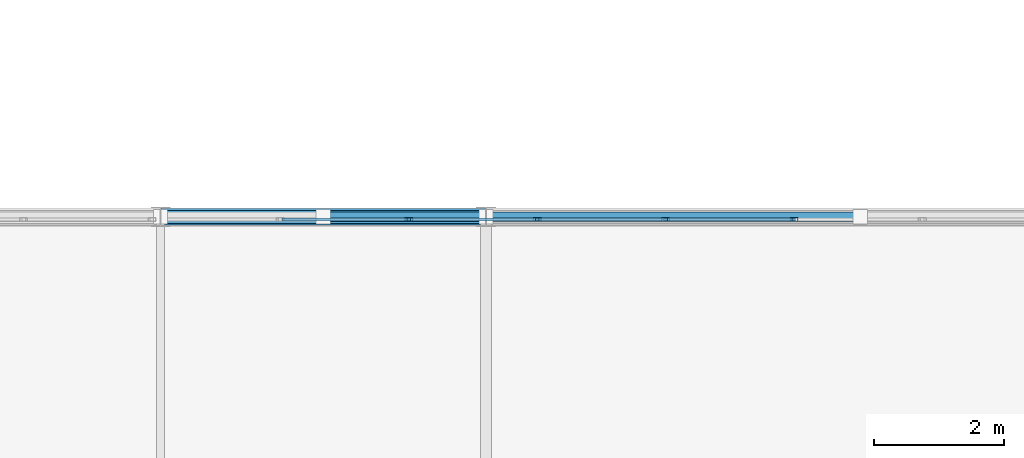
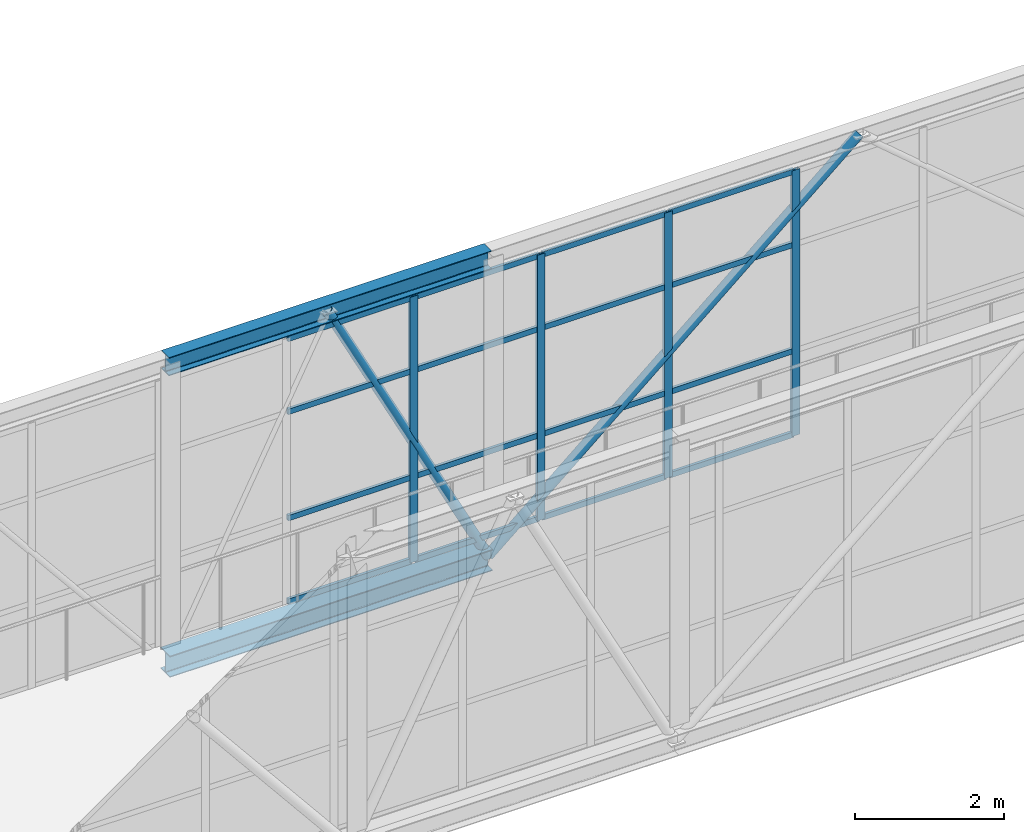
# One storey, part 172 of 248: 24 members, 1 element without a shape of its own.
"""IFC4 building model written with IfcOpenShell, lengths in metres."""

from ifc_helpers import new_model, si_unit, direction, frame, origin, origin_2d, place, context, subcontext, project, spatial, hollow_rectangle, hollow_circle, i_section, extrude, material, layer, layer_set, material_profile, profile_set, type_object, element, aggregate, save


model = new_model("IFC4")

# Units and contexts
model_context = context("Model", 3, precision=1e-05, world=origin(), true_north=direction((0.0, 1.0)))
body_context = subcontext(model_context, "Body", "Model", "MODEL_VIEW")
ifc_project = project(units=[si_unit("LENGTHUNIT", "METRE"), si_unit("AREAUNIT", "SQUARE_METRE"), si_unit("VOLUMEUNIT", "CUBIC_METRE"), si_unit("PLANEANGLEUNIT", "RADIAN"), si_unit("MASSUNIT", "GRAM", prefix="KILO")], contexts=[model_context])

# Site, building, storey
site_placement = place(None, origin())
site = spatial("IfcSite", under=ifc_project, at=site_placement, CompositionType="ELEMENT")
building_placement = place(site_placement, origin())
building = spatial("IfcBuilding", under=site, at=building_placement, Name="Canggui Botanical Conservatory", CompositionType="ELEMENT")
storey_placement = place(building_placement, frame((0.0, 0.0, 5.39990234375)))
storey = spatial("IfcBuildingStorey", under=building, at=storey_placement, Name="L02", CompositionType="ELEMENT", Elevation=5.39990234375)

# Curtain wall, members
ifc_material_1 = material(Name="Thermally Broken Aluminium", Category="aluminium")
ifc_layer = layer(ifc_material_1, 0.1201171875, Name="Thermally Broken Aluminium", Category="aluminium")
ifc_layer_set = layer_set([ifc_layer], Name="Thermally Broken Aluminium")
curtain_wall_type = type_object("IfcCurtainWallType", Name="CW-STICK-B", PredefinedType="USERDEFINED", material=ifc_layer_set)
curtain_wall_placement = place(storey_placement, origin())
curtain_wall = element("IfcCurtainWall", 1, at=curtain_wall_placement, inside=storey, type_object=curtain_wall_type, Name="Facade Curtain Wall CW-SB-04-2", ObjectType="STICK GLAZED WALL", PredefinedType="USERDEFINED")
ifc_material_profile_1 = material_profile(ifc_material_1, hollow_rectangle(XDim=0.054931640625, YDim=0.1201171875, WallThickness=0.0029296875, at=origin_2d()), Name="CWM 55x120x3")
ifc_profile_set_1 = profile_set([ifc_material_profile_1], Name="Thermally Broken Aluminium")
member_type_1 = type_object("IfcMemberType", Name="CWM-05", PredefinedType="MULLION", material=ifc_profile_set_1)
member_1_placement = place(storey_placement, frame((117.313232421875, 79.9599609375, 0.0), z_axis=(0.0, 0.0, 1.0), x_axis=(0.0, 1.0, 0.0)))
member_1 = element("IfcMember", 2, at=member_1_placement, type_object=member_type_1, Name="CW-05 mullion 27", PredefinedType="MULLION", context=body_context, shape_type="SweptSolid", body=[
    extrude(hollow_rectangle(XDim=0.054931640625, YDim=0.1201171875, WallThickness=0.0029296875, at=origin_2d()), origin(), (0.0, 0.0, 1.0), 4.35009765625),
])
member_2_placement = place(storey_placement, frame((119.285888671875, 79.9599609375, 0.0), z_axis=(0.0, 0.0, 1.0), x_axis=(0.0, 1.0, 0.0)))
member_2 = element("IfcMember", 3, at=member_2_placement, type_object=member_type_1, Name="CW-05 mullion 28", PredefinedType="MULLION", context=body_context, shape_type="SweptSolid", body=[
    extrude(hollow_rectangle(XDim=0.054931640625, YDim=0.1201171875, WallThickness=0.0029296875, at=origin_2d()), origin(), (0.0, 0.0, 1.0), 4.35009765625),
])
member_3_placement = place(storey_placement, frame((121.2587890625, 79.9599609375, 0.0), z_axis=(0.0, 0.0, 1.0), x_axis=(0.0, 1.0, 0.0)))
member_3 = element("IfcMember", 4, at=member_3_placement, type_object=member_type_1, Name="CW-05 mullion 29", PredefinedType="MULLION", context=body_context, shape_type="SweptSolid", body=[
    extrude(hollow_rectangle(XDim=0.054931640625, YDim=0.1201171875, WallThickness=0.0029296875, at=origin_2d()), origin(), (0.0, 0.0, 1.0), 4.35009765625),
])
member_4_placement = place(storey_placement, frame((123.2314453125, 79.9599609375, 0.0), z_axis=(0.0, 0.0, 1.0), x_axis=(0.0, 1.0, 0.0)))
member_4 = element("IfcMember", 5, at=member_4_placement, type_object=member_type_1, Name="CW-05 mullion 30", PredefinedType="MULLION", context=body_context, shape_type="SweptSolid", body=[
    extrude(hollow_rectangle(XDim=0.054931640625, YDim=0.1201171875, WallThickness=0.0029296875, at=origin_2d()), origin(), (0.0, 0.0, 1.0), 4.35009765625),
])
ifc_material_profile_2 = material_profile(ifc_material_1, hollow_rectangle(XDim=0.044921875, YDim=0.090087890625, WallThickness=0.0029296875, at=origin_2d()), Name="CWT 45x90x3")
ifc_profile_set_2 = profile_set([ifc_material_profile_2], Name="Thermally Broken Aluminium")
member_type_2 = type_object("IfcMemberType", Name="CWT-05", PredefinedType="USERDEFINED", material=ifc_profile_set_2)
member_5_placement = place(storey_placement, frame((115.367919921875, 79.9599609375, 0.022705078125), z_axis=(1.0, 0.0, 0.0), x_axis=(0.0, 1.0, 0.0)))
member_5 = element("IfcMember", 6, at=member_5_placement, type_object=member_type_2, Name="CW-05 transom 26.1", ObjectType="TRANSOM", PredefinedType="USERDEFINED", context=body_context, shape_type="SweptSolid", body=[
    extrude(hollow_rectangle(XDim=0.044921875, YDim=0.090087890625, WallThickness=0.0029296875, at=origin_2d()), origin(), (0.0, 0.0, 1.0), 1.917724609375),
])
member_6_placement = place(storey_placement, frame((115.367919921875, 79.9599609375, 1.39208984375), z_axis=(1.0, 0.0, 0.0), x_axis=(0.0, 1.0, 0.0)))
member_6 = element("IfcMember", 7, at=member_6_placement, type_object=member_type_2, Name="CW-05 transom 26.2", ObjectType="TRANSOM", PredefinedType="USERDEFINED", context=body_context, shape_type="SweptSolid", body=[
    extrude(hollow_rectangle(XDim=0.044921875, YDim=0.090087890625, WallThickness=0.0029296875, at=origin_2d()), origin(), (0.0, 0.0, 1.0), 1.917724609375),
])
member_7_placement = place(storey_placement, frame((115.367919921875, 79.9599609375, 3.132080078125), z_axis=(1.0, 0.0, 0.0), x_axis=(0.0, 1.0, 0.0)))
member_7 = element("IfcMember", 8, at=member_7_placement, type_object=member_type_2, Name="CW-05 transom 26.3", ObjectType="TRANSOM", PredefinedType="USERDEFINED", context=body_context, shape_type="SweptSolid", body=[
    extrude(hollow_rectangle(XDim=0.044921875, YDim=0.090087890625, WallThickness=0.0029296875, at=origin_2d()), origin(), (0.0, 0.0, 1.0), 1.917724609375),
])
member_8_placement = place(storey_placement, frame((115.367919921875, 79.9599609375, 4.32763671875), z_axis=(1.0, 0.0, 0.0), x_axis=(0.0, 1.0, 0.0)))
member_8 = element("IfcMember", 9, at=member_8_placement, type_object=member_type_2, Name="CW-05 transom 26.4", ObjectType="TRANSOM", PredefinedType="USERDEFINED", context=body_context, shape_type="SweptSolid", body=[
    extrude(hollow_rectangle(XDim=0.044921875, YDim=0.090087890625, WallThickness=0.0029296875, at=origin_2d()), origin(), (0.0, 0.0, 1.0), 1.917724609375),
])
member_9_placement = place(storey_placement, frame((117.340576171875, 79.9599609375, 0.022705078125), z_axis=(1.0, 0.0, 0.0), x_axis=(0.0, 1.0, 0.0)))
member_9 = element("IfcMember", 10, at=member_9_placement, type_object=member_type_2, Name="CW-05 transom 27.1", ObjectType="TRANSOM", PredefinedType="USERDEFINED", context=body_context, shape_type="SweptSolid", body=[
    extrude(hollow_rectangle(XDim=0.044921875, YDim=0.090087890625, WallThickness=0.0029296875, at=origin_2d()), origin(), (0.0, 0.0, 1.0), 1.91796875),
])
member_10_placement = place(storey_placement, frame((117.340576171875, 79.9599609375, 1.39208984375), z_axis=(1.0, 0.0, 0.0), x_axis=(0.0, 1.0, 0.0)))
member_10 = element("IfcMember", 11, at=member_10_placement, type_object=member_type_2, Name="CW-05 transom 27.2", ObjectType="TRANSOM", PredefinedType="USERDEFINED", context=body_context, shape_type="SweptSolid", body=[
    extrude(hollow_rectangle(XDim=0.044921875, YDim=0.090087890625, WallThickness=0.0029296875, at=origin_2d()), origin(), (0.0, 0.0, 1.0), 1.91796875),
])
member_11_placement = place(storey_placement, frame((117.340576171875, 79.9599609375, 3.132080078125), z_axis=(1.0, 0.0, 0.0), x_axis=(0.0, 1.0, 0.0)))
member_11 = element("IfcMember", 12, at=member_11_placement, type_object=member_type_2, Name="CW-05 transom 27.3", ObjectType="TRANSOM", PredefinedType="USERDEFINED", context=body_context, shape_type="SweptSolid", body=[
    extrude(hollow_rectangle(XDim=0.044921875, YDim=0.090087890625, WallThickness=0.0029296875, at=origin_2d()), origin(), (0.0, 0.0, 1.0), 1.91796875),
])
member_12_placement = place(storey_placement, frame((117.340576171875, 79.9599609375, 4.32763671875), z_axis=(1.0, 0.0, 0.0), x_axis=(0.0, 1.0, 0.0)))
member_12 = element("IfcMember", 13, at=member_12_placement, type_object=member_type_2, Name="CW-05 transom 27.4", ObjectType="TRANSOM", PredefinedType="USERDEFINED", context=body_context, shape_type="SweptSolid", body=[
    extrude(hollow_rectangle(XDim=0.044921875, YDim=0.090087890625, WallThickness=0.0029296875, at=origin_2d()), origin(), (0.0, 0.0, 1.0), 1.91796875),
])
member_13_placement = place(storey_placement, frame((119.3134765625, 79.9599609375, 0.022705078125), z_axis=(1.0, 0.0, 0.0), x_axis=(0.0, 1.0, 0.0)))
member_13 = element("IfcMember", 14, at=member_13_placement, type_object=member_type_2, Name="CW-05 transom 28.1", ObjectType="TRANSOM", PredefinedType="USERDEFINED", context=body_context, shape_type="SweptSolid", body=[
    extrude(hollow_rectangle(XDim=0.044921875, YDim=0.090087890625, WallThickness=0.0029296875, at=origin_2d()), origin(), (0.0, 0.0, 1.0), 1.917724609375),
])
member_14_placement = place(storey_placement, frame((119.3134765625, 79.9599609375, 1.39208984375), z_axis=(1.0, 0.0, 0.0), x_axis=(0.0, 1.0, 0.0)))
member_14 = element("IfcMember", 15, at=member_14_placement, type_object=member_type_2, Name="CW-05 transom 28.2", ObjectType="TRANSOM", PredefinedType="USERDEFINED", context=body_context, shape_type="SweptSolid", body=[
    extrude(hollow_rectangle(XDim=0.044921875, YDim=0.090087890625, WallThickness=0.0029296875, at=origin_2d()), origin(), (0.0, 0.0, 1.0), 1.917724609375),
])
member_15_placement = place(storey_placement, frame((119.3134765625, 79.9599609375, 3.132080078125), z_axis=(1.0, 0.0, 0.0), x_axis=(0.0, 1.0, 0.0)))
member_15 = element("IfcMember", 16, at=member_15_placement, type_object=member_type_2, Name="CW-05 transom 28.3", ObjectType="TRANSOM", PredefinedType="USERDEFINED", context=body_context, shape_type="SweptSolid", body=[
    extrude(hollow_rectangle(XDim=0.044921875, YDim=0.090087890625, WallThickness=0.0029296875, at=origin_2d()), origin(), (0.0, 0.0, 1.0), 1.917724609375),
])
member_16_placement = place(storey_placement, frame((119.3134765625, 79.9599609375, 4.32763671875), z_axis=(1.0, 0.0, 0.0), x_axis=(0.0, 1.0, 0.0)))
member_16 = element("IfcMember", 17, at=member_16_placement, type_object=member_type_2, Name="CW-05 transom 28.4", ObjectType="TRANSOM", PredefinedType="USERDEFINED", context=body_context, shape_type="SweptSolid", body=[
    extrude(hollow_rectangle(XDim=0.044921875, YDim=0.090087890625, WallThickness=0.0029296875, at=origin_2d()), origin(), (0.0, 0.0, 1.0), 1.917724609375),
])
member_17_placement = place(storey_placement, frame((121.2861328125, 79.9599609375, 0.022705078125), z_axis=(1.0, 0.0, 0.0), x_axis=(0.0, 1.0, 0.0)))
member_17 = element("IfcMember", 18, at=member_17_placement, type_object=member_type_2, Name="CW-05 transom 29.1", ObjectType="TRANSOM", PredefinedType="USERDEFINED", context=body_context, shape_type="SweptSolid", body=[
    extrude(hollow_rectangle(XDim=0.044921875, YDim=0.090087890625, WallThickness=0.0029296875, at=origin_2d()), origin(), (0.0, 0.0, 1.0), 1.91796875),
])
member_18_placement = place(storey_placement, frame((121.2861328125, 79.9599609375, 1.39208984375), z_axis=(1.0, 0.0, 0.0), x_axis=(0.0, 1.0, 0.0)))
member_18 = element("IfcMember", 19, at=member_18_placement, type_object=member_type_2, Name="CW-05 transom 29.2", ObjectType="TRANSOM", PredefinedType="USERDEFINED", context=body_context, shape_type="SweptSolid", body=[
    extrude(hollow_rectangle(XDim=0.044921875, YDim=0.090087890625, WallThickness=0.0029296875, at=origin_2d()), origin(), (0.0, 0.0, 1.0), 1.91796875),
])
member_19_placement = place(storey_placement, frame((121.2861328125, 79.9599609375, 3.132080078125), z_axis=(1.0, 0.0, 0.0), x_axis=(0.0, 1.0, 0.0)))
member_19 = element("IfcMember", 20, at=member_19_placement, type_object=member_type_2, Name="CW-05 transom 29.3", ObjectType="TRANSOM", PredefinedType="USERDEFINED", context=body_context, shape_type="SweptSolid", body=[
    extrude(hollow_rectangle(XDim=0.044921875, YDim=0.090087890625, WallThickness=0.0029296875, at=origin_2d()), origin(), (0.0, 0.0, 1.0), 1.91796875),
])
member_20_placement = place(storey_placement, frame((121.2861328125, 79.9599609375, 4.32763671875), z_axis=(1.0, 0.0, 0.0), x_axis=(0.0, 1.0, 0.0)))
member_20 = element("IfcMember", 21, at=member_20_placement, type_object=member_type_2, Name="CW-05 transom 29.4", ObjectType="TRANSOM", PredefinedType="USERDEFINED", context=body_context, shape_type="SweptSolid", body=[
    extrude(hollow_rectangle(XDim=0.044921875, YDim=0.090087890625, WallThickness=0.0029296875, at=origin_2d()), origin(), (0.0, 0.0, 1.0), 1.91796875),
])
aggregate(curtain_wall, [member_1, member_2, member_3, member_4, member_5, member_6, member_7, member_8, member_9, member_10, member_11, member_12, member_13, member_14, member_15, member_16, member_17, member_18, member_19, member_20])

# Members
ifc_material_2 = material(Name="Steel Q355C", Category="steel")
ifc_material_profile_3 = material_profile(ifc_material_2, hollow_circle(Radius=0.075927734375, WallThickness=0.006103515625, at=origin_2d()), Name="CHS 152x6")
ifc_profile_set_3 = profile_set([ifc_material_profile_3], Name="Steel Q355C")
member_type_3 = type_object("IfcMemberType", Name="MEM-GSD04", PredefinedType="RAFTER", material=ifc_profile_set_3)
member_21_placement = place(storey_placement, frame((116.0, 80.0, 4.550048828125), z_axis=(0.45447752854, 0.0, -0.89075820291), x_axis=(0.0, 1.0, 0.0)))
element("IfcMember", 22, at=member_21_placement, inside=storey, type_object=member_type_3, Name="SB-04 Truss Web Rafter 2.8B", PredefinedType="RAFTER", context=body_context, shape_type="SweptSolid", body=[
    extrude(hollow_circle(Radius=0.075927734375, WallThickness=0.006103515625, at=origin_2d()), origin(), (0.0, 0.0, 1.0), 5.500732421875),
])
member_22_placement = place(storey_placement, frame((118.5, 80.0, -0.349853515625), z_axis=(0.761128593641, 0.0, 0.648601005196), x_axis=(0.0, 1.0, 0.0)))
element("IfcMember", 23, at=member_22_placement, inside=storey, type_object=member_type_3, Name="SB-04 Truss Web Rafter 2.9A", PredefinedType="RAFTER", context=body_context, shape_type="SweptSolid", body=[
    extrude(hollow_circle(Radius=0.075927734375, WallThickness=0.006103515625, at=origin_2d()), origin(), (0.0, 0.0, 1.0), 7.5546875),
])
ifc_material_3 = material(Name="Steel Q355B", Category="steel")
ifc_material_profile_4 = material_profile(ifc_material_3, i_section(OverallWidth=0.25, OverallDepth=0.35009765625, WebThickness=0.009033203125, FlangeThickness=0.013916015625, FilletRadius=0.02001953125, at=origin_2d()), Name="HM 350x250x9x14")
ifc_profile_set_4 = profile_set([ifc_material_profile_4], Name="Steel Q355B")
member_type_4 = type_object("IfcMemberType", Name="MEM-TC03", PredefinedType="CHORD", material=ifc_profile_set_4)
member_23_placement = place(storey_placement, frame((113.5, 80.0, -0.349853515625), z_axis=(1.0, 0.0, 0.0), x_axis=(0.0, 1.0, 0.0)))
element("IfcMember", 24, at=member_23_placement, inside=storey, type_object=member_type_4, Name="SB-04 Deck Truss Bottom Chord 2.8", PredefinedType="CHORD", context=body_context, shape_type="SweptSolid", body=[
    extrude(i_section(OverallWidth=0.25, OverallDepth=0.35009765625, WebThickness=0.009033203125, FlangeThickness=0.013916015625, FilletRadius=0.02001953125, at=origin_2d()), origin(), (0.0, 0.0, 1.0), 5.0),
])
ifc_material_profile_5 = material_profile(ifc_material_3, i_section(OverallWidth=0.199951171875, OverallDepth=0.300048828125, WebThickness=0.008056640625, FlangeThickness=0.011962890625, FilletRadius=0.01806640625, at=origin_2d()), Name="HM 300x200x8x12")
ifc_profile_set_5 = profile_set([ifc_material_profile_5], Name="Steel Q355B")
member_type_5 = type_object("IfcMemberType", Name="MEM-TC04", PredefinedType="CHORD", material=ifc_profile_set_5)
member_24_placement = place(storey_placement, frame((113.5, 80.0, 4.550048828125), z_axis=(1.0, 0.0, 0.0), x_axis=(0.0, 1.0, 0.0)))
element("IfcMember", 25, at=member_24_placement, inside=storey, type_object=member_type_5, Name="SB-04 Roof Truss Top Chord 2.8", PredefinedType="CHORD", context=body_context, shape_type="SweptSolid", body=[
    extrude(i_section(OverallWidth=0.199951171875, OverallDepth=0.300048828125, WebThickness=0.008056640625, FlangeThickness=0.011962890625, FilletRadius=0.01806640625, at=origin_2d()), origin(), (0.0, 0.0, 1.0), 5.0),
])

save(model, "model.ifc")
